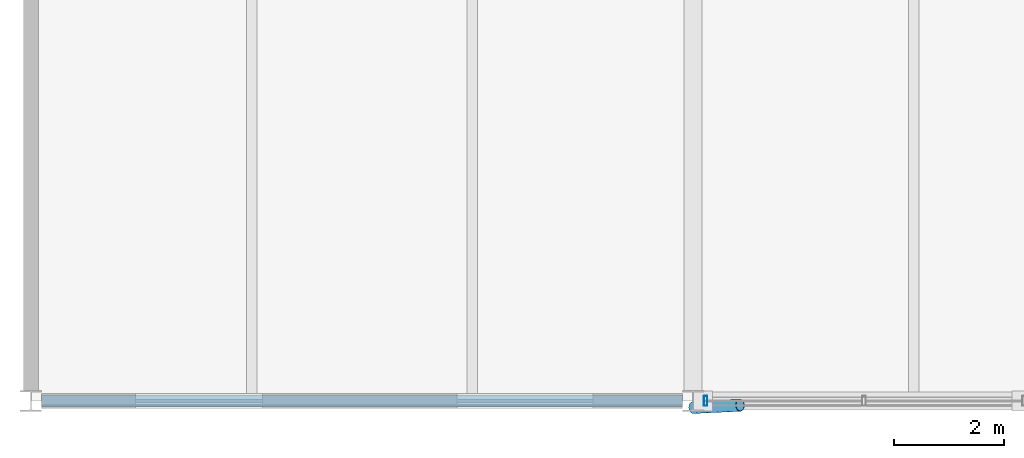
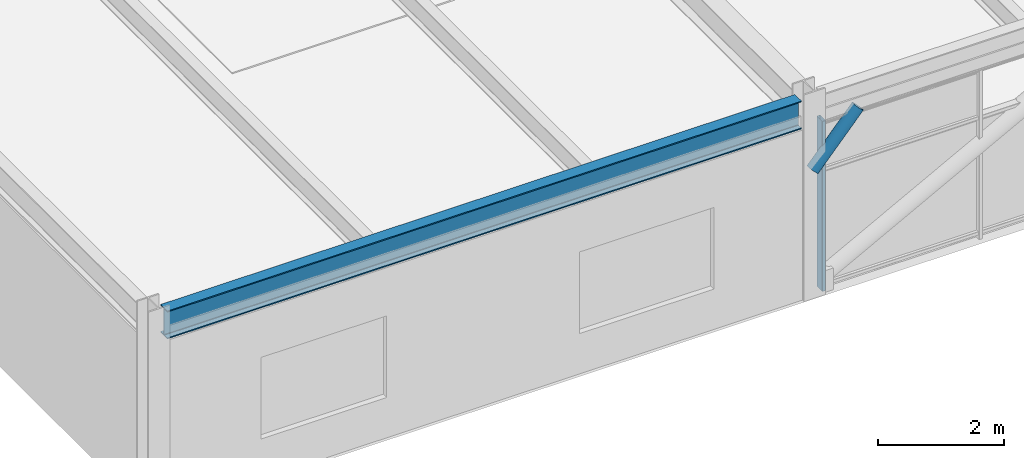
# One storey, part 7 of 49: 2 members, 1 beam, 1 element without a shape of its own.
"""IFC4 building model written with IfcOpenShell, lengths in metres."""

import ifcopenshell
import ifcopenshell.guid

model = None  # the IFC model being written
_history = None  # IfcOwnerHistory: only IFC2X3 demands one
_inside = {}  # id of a spatial element -> (the spatial element, [elements in it])
_under = {}  # id of a project, library or spatial element -> (it, [spatial elements below it])
_declared = {}  # id of a project -> (the project, [libraries it declares])
_typed = {}  # id of a type object -> (the type object, [elements of that type])
_made_of = {}  # id of a material, layer set ... -> (it, [elements and type objects made of it])


def new_model(schema):
    """Start an empty IFC model of exactly this schema.

    Asked for "IFC4X3", IfcOpenShell would pick the latest addendum, in which some entities
    have other attributes; the version numbers below select the first issue.
    IFC2X3 requires an IfcOwnerHistory on every rooted entity: one is made here for all.
    """
    global model, _history
    if schema == "IFC4X3":
        model = ifcopenshell.file(schema_version=(4, 3, 0, 0))
    else:
        model = ifcopenshell.file(schema=schema)
    _inside.clear()
    _under.clear()
    _declared.clear()
    _typed.clear()
    _made_of.clear()
    _history = None
    if model.schema == "IFC2X3":
        org = make("IfcOrganization", Name="unknown")
        user = make(
            "IfcPersonAndOrganization",
            ThePerson=make("IfcPerson", FamilyName="unknown"),
            TheOrganization=org,
        )
        app = make(
            "IfcApplication",
            ApplicationDeveloper=org,
            Version="unknown",
            ApplicationFullName="unknown",
            ApplicationIdentifier="unknown",
        )
        _history = make(
            "IfcOwnerHistory",
            OwningUser=user,
            OwningApplication=app,
            ChangeAction="ADDED",
            CreationDate=0,
        )
    return model


def make(cls, **values):
    """One entity of the class cls with the attributes given. An attribute that is None is left unset."""
    return model.create_entity(
        cls, **{name: value for name, value in values.items() if value is not None}
    )


def rooted(cls, **values):
    """An entity with a GlobalId (a new one), such as an element, a storey or a relation."""
    return make(cls, GlobalId=ifcopenshell.guid.new(), OwnerHistory=_history, **values)


def si_unit(unit_type, name, prefix=None):
    """IfcSIUnit, for example si_unit("LENGTHUNIT", "METRE", prefix="MILLI")."""
    return make("IfcSIUnit", UnitType=unit_type, Prefix=prefix, Name=name)


def assignment(units):
    """IfcUnitAssignment: the units of a project."""
    return None if units is None else make("IfcUnitAssignment", Units=units)


def point(xyz):
    """IfcCartesianPoint."""
    return None if xyz is None else make("IfcCartesianPoint", Coordinates=xyz)


def direction(xyz):
    """IfcDirection."""
    return None if xyz is None else make("IfcDirection", DirectionRatios=xyz)


def frame(location, z_axis=None, x_axis=None):
    """IfcAxis2Placement3D, a coordinate frame: its origin and axes. An axis left out is left unset."""
    return make(
        "IfcAxis2Placement3D",
        Location=point(location),
        Axis=direction(z_axis),
        RefDirection=direction(x_axis),
    )


def frame_2d(location, x_axis=None):
    """IfcAxis2Placement2D, a coordinate frame in the plane: its origin and x axis."""
    return make(
        "IfcAxis2Placement2D", Location=point(location), RefDirection=direction(x_axis)
    )


def origin():
    """The frame at (0, 0, 0) with its axes left unset."""
    return frame((0.0, 0.0, 0.0))


def origin_2d():
    """The frame at (0, 0) in the plane with its x axis left unset."""
    return frame_2d((0.0, 0.0))


def place(relative_to, where):
    """IfcLocalPlacement: puts the frame where relative to a parent placement (None: the world)."""
    return make(
        "IfcLocalPlacement", PlacementRelTo=relative_to, RelativePlacement=where
    )


def context(
    kind, dimensions, precision=None, world=None, true_north=None, identifier=None
):
    """IfcGeometricRepresentationContext, for example the 3D "Model" context."""
    return make(
        "IfcGeometricRepresentationContext",
        ContextIdentifier=identifier,
        ContextType=kind,
        CoordinateSpaceDimension=dimensions,
        Precision=precision,
        WorldCoordinateSystem=world,
        TrueNorth=true_north,
    )


def subcontext(parent, identifier, kind, view, scale=None):
    """IfcGeometricRepresentationSubContext, for example "Body" below "Model"."""
    return make(
        "IfcGeometricRepresentationSubContext",
        ContextIdentifier=identifier,
        ContextType=kind,
        ParentContext=parent,
        TargetScale=scale,
        TargetView=view,
    )


def project(units=None, contexts=None):
    """IfcProject with its units and contexts."""
    return rooted(
        "IfcProject",
        Name="project",
        RepresentationContexts=contexts,
        UnitsInContext=assignment(units),
    )


def spatial(cls, under=None, at=None, **own):
    """A site, building, storey or space (cls), placed at a placement, below another one or the project."""
    s = rooted(cls, ObjectPlacement=at, **own)
    if under is not None:
        _under.setdefault(under.id(), (under, []))[1].append(s)
    return s


def profile(cls, at=None, kind="AREA", **sizes):
    """A parametric profile (cls). Its sizes go by their IFC names, for example OverallWidth=200.0."""
    return make(cls, ProfileType=kind, Position=at, **sizes)


def hollow_rectangle(**sizes):
    """IfcRectangleHollowProfileDef."""
    return profile("IfcRectangleHollowProfileDef", **sizes)


def hollow_circle(**sizes):
    """IfcCircleHollowProfileDef."""
    return profile("IfcCircleHollowProfileDef", **sizes)


def i_section(**sizes):
    """IfcIShapeProfileDef."""
    return profile("IfcIShapeProfileDef", **sizes)


def extrude(swept, where, along, depth):
    """IfcExtrudedAreaSolid: the profile swept, set in the frame where, extruded along a direction by depth."""
    return make(
        "IfcExtrudedAreaSolid",
        SweptArea=swept,
        Position=where,
        ExtrudedDirection=direction(along),
        Depth=depth,
    )


def shape(context_of_items, identifier, shape_type, items):
    """IfcShapeRepresentation: the items that make up one representation, for example the "Body"."""
    return make(
        "IfcShapeRepresentation",
        ContextOfItems=context_of_items,
        RepresentationIdentifier=identifier,
        RepresentationType=shape_type,
        Items=items,
    )


def material(Name=None, Category=None):
    """IfcMaterial."""
    return make("IfcMaterial", Name=Name, Category=Category)


def material_profile(
    of_material, cross_section, Name=None, Category=None, Priority=None
):
    """IfcMaterialProfile: a cross section and its material."""
    return make(
        "IfcMaterialProfile",
        Name=Name,
        Material=of_material,
        Profile=cross_section,
        Priority=Priority,
        Category=Category,
    )


def profile_set(profiles, Name=None, composite=None):
    """IfcMaterialProfileSet."""
    return make(
        "IfcMaterialProfileSet",
        Name=Name,
        MaterialProfiles=profiles,
        CompositeProfile=composite,
    )


def made_of(thing, what):
    """Note that an element or type object is made of a material, layer set ...; save() writes the relation."""
    if what is not None:
        _made_of.setdefault(what.id(), (what, []))[1].append(thing)
    return thing


def type_object(cls, material=None, **own):
    """A type object (cls), such as IfcWallType, which elements share."""
    return made_of(rooted(cls, **own), material)


def element(
    cls,
    number,
    at=None,
    inside=None,
    cuts=None,
    type_object=None,
    material=None,
    context=None,
    identifier="Body",
    shape_type=None,
    held_by="IfcProductDefinitionShape",
    body=None,
    shapes=None,
    **own,
):
    """One element of the class cls, such as IfcWall. Its Tag is "e" and its number.

    at: its placement. inside: the storey or other place that contains it. cuts: it is an
    opening in that element (IfcRelVoidsElement). A single representation is given by context,
    identifier, shape_type and body (its items); several are given by shapes. held_by: the class
    of the entity that holds the representations. save() writes the other relations.
    """
    e = rooted(cls, Tag="e%d" % number, ObjectPlacement=at, **own)
    if body is not None:
        shapes = [shape(context, identifier, shape_type, body)]
    if shapes is not None:
        e.Representation = make(held_by, Representations=shapes)
    if inside is not None:
        _inside.setdefault(inside.id(), (inside, []))[1].append(e)
    if cuts is not None:
        rooted(
            "IfcRelVoidsElement", RelatingBuildingElement=cuts, RelatedOpeningElement=e
        )
    if type_object is not None:
        _typed.setdefault(type_object.id(), (type_object, []))[1].append(e)
    return made_of(e, material)


def aggregate(whole, parts):
    """IfcRelAggregates: a whole, such as a stair, and the parts it consists of."""
    return rooted("IfcRelAggregates", RelatingObject=whole, RelatedObjects=parts)


def save(model, path):
    """Write the relations noted so far, then the file.

    IfcRelAggregates (storeys below a building ...), IfcRelContainedInSpatialStructure (elements
    in a storey), IfcRelDefinesByType, IfcRelAssociatesMaterial and IfcRelDeclares: one each for
    every whole, place, type object, material and project.
    """
    for whole, parts in _under.values():
        aggregate(whole, parts)
    for where, things in _inside.values():
        rooted(
            "IfcRelContainedInSpatialStructure",
            RelatedElements=things,
            RelatingStructure=where,
        )
    for kind, things in _typed.values():
        rooted("IfcRelDefinesByType", RelatedObjects=things, RelatingType=kind)
    for what, things in _made_of.values():
        rooted("IfcRelAssociatesMaterial", RelatedObjects=things, RelatingMaterial=what)
    for by, libraries in _declared.values():
        rooted("IfcRelDeclares", RelatingContext=by, RelatedDefinitions=libraries)
    model.write(path)


model = new_model("IFC4")

# Units and contexts
model_context = context("Model", 3, precision=1e-05, world=origin(), true_north=direction((0.0, 1.0)))
body_context = subcontext(model_context, "Body", "Model", "MODEL_VIEW")
ifc_project = project(units=[si_unit("LENGTHUNIT", "METRE"), si_unit("AREAUNIT", "SQUARE_METRE"), si_unit("VOLUMEUNIT", "CUBIC_METRE"), si_unit("PLANEANGLEUNIT", "RADIAN"), si_unit("MASSUNIT", "GRAM", prefix="KILO")], contexts=[model_context])

# Site, building, storey
site_placement = place(None, origin())
site = spatial("IfcSite", under=ifc_project, at=site_placement, CompositionType="ELEMENT")
building_placement = place(site_placement, origin())
building = spatial("IfcBuilding", under=site, at=building_placement, Name="Girod Span Mobility Hub", CompositionType="ELEMENT")
storey_placement = place(building_placement, frame((0.0, 0.0, 37.60009765625)))
storey = spatial("IfcBuildingStorey", under=building, at=storey_placement, Name="L09", CompositionType="ELEMENT", Elevation=37.60009765625)

# Beam
ifc_material_1 = material(Name="Steel A992 Grade 50", Category="steel")
ifc_material_profile_1 = material_profile(ifc_material_1, i_section(OverallWidth=0.2119140625, OverallDepth=0.5439453125, WebThickness=0.01318359375, FlangeThickness=0.021240234375, FilletRadius=0.014892578125, at=origin_2d()), Name="W21X83")
ifc_profile_set_1 = profile_set([ifc_material_profile_1], Name="Steel A992 Grade 50")
beam_type = type_object("IfcBeamType", Name="BM-STL-W21X83", PredefinedType="SPANDREL", material=ifc_profile_set_1)
beam_placement = place(storey_placement, frame((24.194091796875, 27.0, 3.56298828125), z_axis=(1.0, 0.0, 0.0), x_axis=(0.0, 1.0, 0.0)))
element("IfcBeam", 1, at=beam_placement, inside=storey, type_object=beam_type, Name="Girder 3-4/C L09", PredefinedType="SPANDREL", context=body_context, shape_type="SweptSolid", body=[
    extrude(i_section(OverallWidth=0.2119140625, OverallDepth=0.5439453125, WebThickness=0.01318359375, FlangeThickness=0.021240234375, FilletRadius=0.014892578125, at=origin_2d()), origin(), (0.0, 0.0, 1.0), 11.61181640625),
])

# Curtain wall, member
ifc_material_2 = material(Name="Thermally Broken Anodised Aluminium", Category="aluminium")
curtain_wall_type = type_object("IfcCurtainWallType", Name="CW-1161X329", PredefinedType="USERDEFINED", material=ifc_material_2)
curtain_wall_placement = place(storey_placement, origin())
curtain_wall = element("IfcCurtainWall", 2, at=curtain_wall_placement, inside=storey, type_object=curtain_wall_type, Name="Unitised Curtain Wall CW-L09-S04 L09", ObjectType="UNITISED CURTAIN WALL", PredefinedType="USERDEFINED")
ifc_material_3 = material(Name="Thermally Broken Anodised Aluminium", Category="aluminium")
ifc_material_profile_2 = material_profile(ifc_material_3, hollow_rectangle(XDim=0.179931640625, YDim=0.06494140625, WallThickness=0.00390625, InnerFilletRadius=0.00390625, OuterFilletRadius=0.008056640625, at=origin_2d()), Name="CW-ML-65X180")
ifc_profile_set_2 = profile_set([ifc_material_profile_2], Name="Thermally Broken Anodised Aluminium")
member_type_1 = type_object("IfcMemberType", Name="CWM-ML-2", PredefinedType="MULLION", material=ifc_profile_set_2)
member_1_placement = place(storey_placement, frame((36.22705078125, 27.0, 0.0), z_axis=(0.0, 0.0, 1.0), x_axis=(0.0, 1.0, 0.0)))
member_1 = element("IfcMember", 3, at=member_1_placement, type_object=member_type_1, Name="Curtain Wall Mullion CW-L09-S04-M0", PredefinedType="MULLION", context=body_context, shape_type="SweptSolid", body=[
    extrude(hollow_rectangle(XDim=0.179931640625, YDim=0.06494140625, WallThickness=0.00390625, InnerFilletRadius=0.00390625, OuterFilletRadius=0.008056640625, at=origin_2d()), origin(), (0.0, 0.0, 1.0), 3.291015625),
])
aggregate(curtain_wall, [member_1])

# Member
ifc_material_4 = material(Name="Steel HSS A500 Grade C", Category="steel")
ifc_material_profile_3 = material_profile(ifc_material_4, hollow_circle(Radius=0.109619140625, WallThickness=0.0087890625, at=origin_2d()), Name="HSS219X9.5")
ifc_profile_set_3 = profile_set([ifc_material_profile_3], Name="Steel HSS A500 Grade C")
member_type_2 = type_object("IfcMemberType", Name="MB-ST-HSS219", PredefinedType="STRUT", material=ifc_profile_set_3)
member_2_placement = place(storey_placement, frame((36.0, 26.8798828125, 2.449951171875), z_axis=(0.684284972261, 0.032229389848, 0.728502122967), x_axis=(-0.047047213483, 0.998892666758, 0.0)))
element("IfcMember", 4, at=member_2_placement, inside=storey, type_object=member_type_2, Name="Solar Shading Knee Strut 4 L09", PredefinedType="STRUT", context=body_context, shape_type="SweptSolid", body=[
    extrude(hollow_circle(Radius=0.109619140625, WallThickness=0.0087890625, at=origin_2d()), origin(), (0.0, 0.0, 1.0), 1.242431640625),
])

save(model, "model.ifc")
